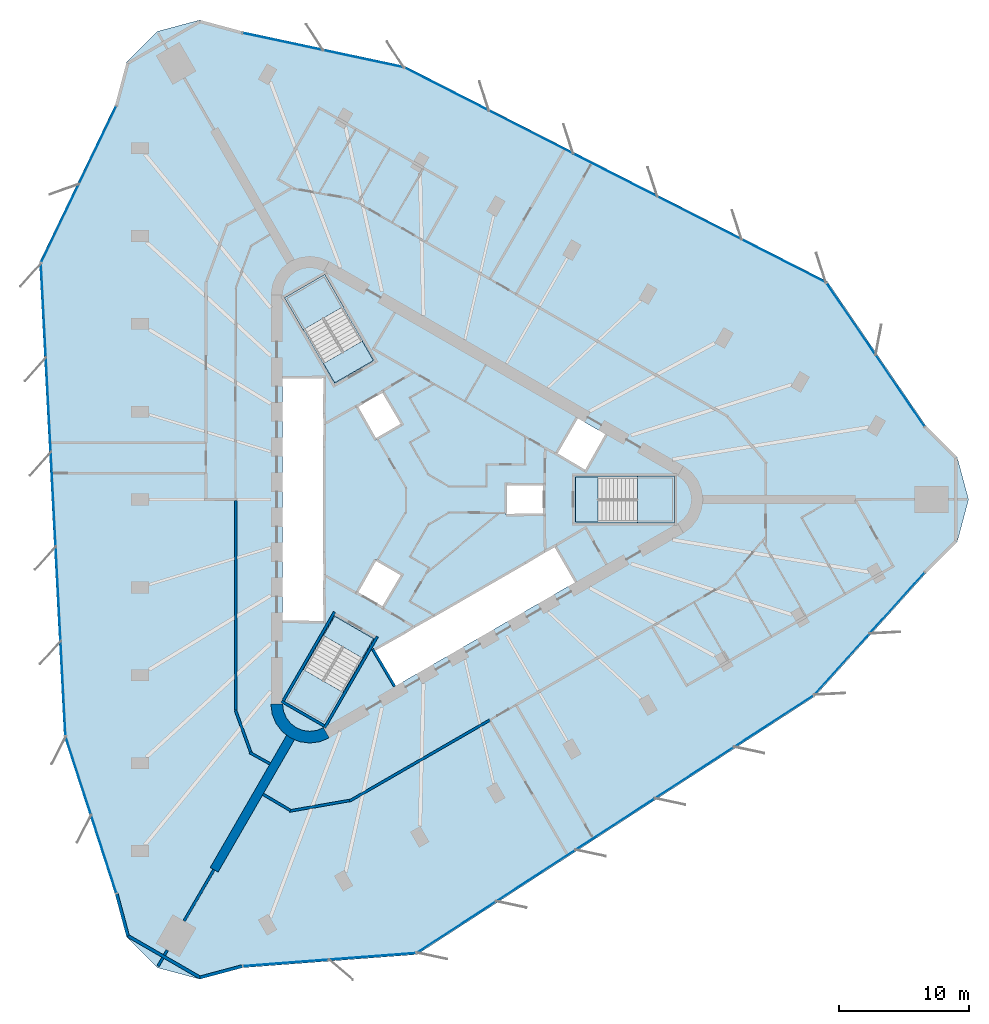
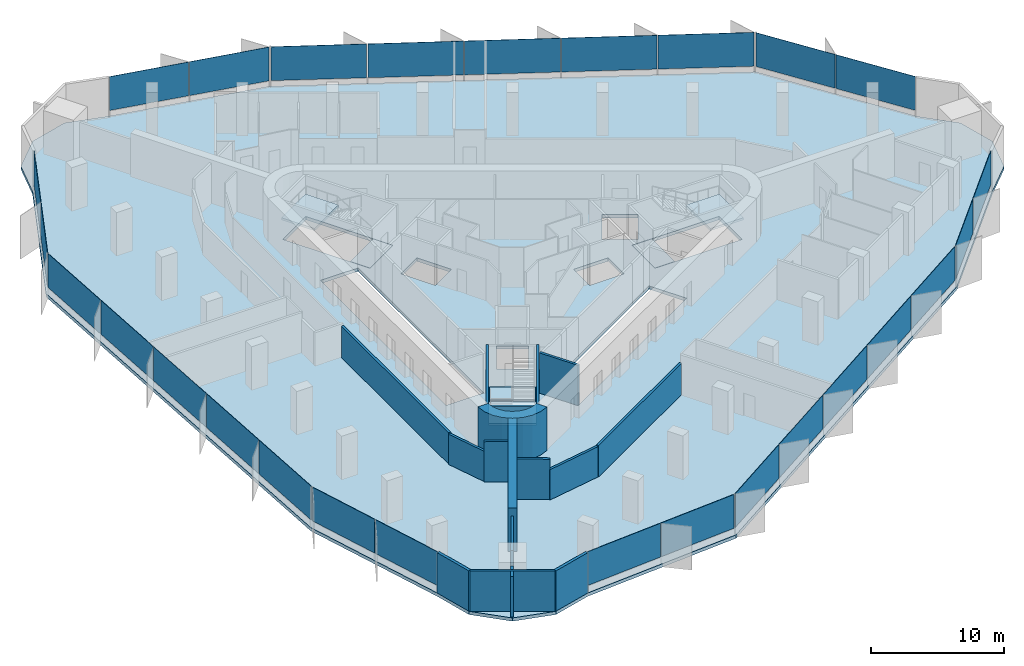
# One storey, part 7 of 14: 27 plates, 18 walls, 7 slabs, 12 elements without a shape of their own.
"""IFC4 building model written with IfcOpenShell, lengths in metres."""

import ifcopenshell
import ifcopenshell.guid

model = None  # the IFC model being written
_history = None  # IfcOwnerHistory: only IFC2X3 demands one
_inside = {}  # id of a spatial element -> (the spatial element, [elements in it])
_under = {}  # id of a project, library or spatial element -> (it, [spatial elements below it])
_declared = {}  # id of a project -> (the project, [libraries it declares])
_typed = {}  # id of a type object -> (the type object, [elements of that type])
_made_of = {}  # id of a material, layer set ... -> (it, [elements and type objects made of it])


def new_model(schema):
    """Start an empty IFC model of exactly this schema.

    Asked for "IFC4X3", IfcOpenShell would pick the latest addendum, in which some entities
    have other attributes; the version numbers below select the first issue.
    IFC2X3 requires an IfcOwnerHistory on every rooted entity: one is made here for all.
    """
    global model, _history
    if schema == "IFC4X3":
        model = ifcopenshell.file(schema_version=(4, 3, 0, 0))
    else:
        model = ifcopenshell.file(schema=schema)
    _inside.clear()
    _under.clear()
    _declared.clear()
    _typed.clear()
    _made_of.clear()
    _history = None
    if model.schema == "IFC2X3":
        org = make("IfcOrganization", Name="unknown")
        user = make(
            "IfcPersonAndOrganization",
            ThePerson=make("IfcPerson", FamilyName="unknown"),
            TheOrganization=org,
        )
        app = make(
            "IfcApplication",
            ApplicationDeveloper=org,
            Version="unknown",
            ApplicationFullName="unknown",
            ApplicationIdentifier="unknown",
        )
        _history = make(
            "IfcOwnerHistory",
            OwningUser=user,
            OwningApplication=app,
            ChangeAction="ADDED",
            CreationDate=0,
        )
    return model


def make(cls, **values):
    """One entity of the class cls with the attributes given. An attribute that is None is left unset."""
    return model.create_entity(
        cls, **{name: value for name, value in values.items() if value is not None}
    )


def rooted(cls, **values):
    """An entity with a GlobalId (a new one), such as an element, a storey or a relation."""
    return make(cls, GlobalId=ifcopenshell.guid.new(), OwnerHistory=_history, **values)


def si_unit(unit_type, name, prefix=None):
    """IfcSIUnit, for example si_unit("LENGTHUNIT", "METRE", prefix="MILLI")."""
    return make("IfcSIUnit", UnitType=unit_type, Prefix=prefix, Name=name)


def assignment(units):
    """IfcUnitAssignment: the units of a project."""
    return None if units is None else make("IfcUnitAssignment", Units=units)


def point(xyz):
    """IfcCartesianPoint."""
    return None if xyz is None else make("IfcCartesianPoint", Coordinates=xyz)


def direction(xyz):
    """IfcDirection."""
    return None if xyz is None else make("IfcDirection", DirectionRatios=xyz)


def frame(location, z_axis=None, x_axis=None):
    """IfcAxis2Placement3D, a coordinate frame: its origin and axes. An axis left out is left unset."""
    return make(
        "IfcAxis2Placement3D",
        Location=point(location),
        Axis=direction(z_axis),
        RefDirection=direction(x_axis),
    )


def frame_2d(location, x_axis=None):
    """IfcAxis2Placement2D, a coordinate frame in the plane: its origin and x axis."""
    return make(
        "IfcAxis2Placement2D", Location=point(location), RefDirection=direction(x_axis)
    )


def origin():
    """The frame at (0, 0, 0) with its axes left unset."""
    return frame((0.0, 0.0, 0.0))


def origin_2d():
    """The frame at (0, 0) in the plane with its x axis left unset."""
    return frame_2d((0.0, 0.0))


def place(relative_to, where):
    """IfcLocalPlacement: puts the frame where relative to a parent placement (None: the world)."""
    return make(
        "IfcLocalPlacement", PlacementRelTo=relative_to, RelativePlacement=where
    )


def context(
    kind, dimensions, precision=None, world=None, true_north=None, identifier=None
):
    """IfcGeometricRepresentationContext, for example the 3D "Model" context."""
    return make(
        "IfcGeometricRepresentationContext",
        ContextIdentifier=identifier,
        ContextType=kind,
        CoordinateSpaceDimension=dimensions,
        Precision=precision,
        WorldCoordinateSystem=world,
        TrueNorth=true_north,
    )


def subcontext(parent, identifier, kind, view, scale=None):
    """IfcGeometricRepresentationSubContext, for example "Body" below "Model"."""
    return make(
        "IfcGeometricRepresentationSubContext",
        ContextIdentifier=identifier,
        ContextType=kind,
        ParentContext=parent,
        TargetScale=scale,
        TargetView=view,
    )


def project(units=None, contexts=None):
    """IfcProject with its units and contexts."""
    return rooted(
        "IfcProject",
        Name="project",
        RepresentationContexts=contexts,
        UnitsInContext=assignment(units),
    )


def spatial(cls, under=None, at=None, **own):
    """A site, building, storey or space (cls), placed at a placement, below another one or the project."""
    s = rooted(cls, ObjectPlacement=at, **own)
    if under is not None:
        _under.setdefault(under.id(), (under, []))[1].append(s)
    return s


def polyline(points):
    """IfcPolyline through the points."""
    return make("IfcPolyline", Points=[point(p) for p in points])


def profile(cls, at=None, kind="AREA", **sizes):
    """A parametric profile (cls). Its sizes go by their IFC names, for example OverallWidth=200.0."""
    return make(cls, ProfileType=kind, Position=at, **sizes)


def rectangle(**sizes):
    """IfcRectangleProfileDef."""
    return profile("IfcRectangleProfileDef", **sizes)


def outline(outer, holes=None, kind="AREA"):
    """IfcArbitraryClosedProfileDef: a profile drawn as a closed curve; with holes, ...WithVoids."""
    if holes is None:
        return make("IfcArbitraryClosedProfileDef", ProfileType=kind, OuterCurve=outer)
    return make(
        "IfcArbitraryProfileDefWithVoids",
        ProfileType=kind,
        OuterCurve=outer,
        InnerCurves=holes,
    )


def extrude(swept, where, along, depth):
    """IfcExtrudedAreaSolid: the profile swept, set in the frame where, extruded along a direction by depth."""
    return make(
        "IfcExtrudedAreaSolid",
        SweptArea=swept,
        Position=where,
        ExtrudedDirection=direction(along),
        Depth=depth,
    )


def shape(context_of_items, identifier, shape_type, items):
    """IfcShapeRepresentation: the items that make up one representation, for example the "Body"."""
    return make(
        "IfcShapeRepresentation",
        ContextOfItems=context_of_items,
        RepresentationIdentifier=identifier,
        RepresentationType=shape_type,
        Items=items,
    )


def material(Name=None, Category=None):
    """IfcMaterial."""
    return make("IfcMaterial", Name=Name, Category=Category)


def layer(
    of_material, thickness, ventilated=None, Name=None, Category=None, Priority=None
):
    """IfcMaterialLayer: one layer of a wall or slab, of a material (None: an air gap)."""
    return make(
        "IfcMaterialLayer",
        Material=of_material,
        LayerThickness=thickness,
        IsVentilated=ventilated,
        Name=Name,
        Category=Category,
        Priority=Priority,
    )


def layer_set(layers, Name=None):
    """IfcMaterialLayerSet."""
    return make("IfcMaterialLayerSet", MaterialLayers=layers, LayerSetName=Name)


def made_of(thing, what):
    """Note that an element or type object is made of a material, layer set ...; save() writes the relation."""
    if what is not None:
        _made_of.setdefault(what.id(), (what, []))[1].append(thing)
    return thing


def type_object(cls, material=None, **own):
    """A type object (cls), such as IfcWallType, which elements share."""
    return made_of(rooted(cls, **own), material)


def element(
    cls,
    number,
    at=None,
    inside=None,
    cuts=None,
    type_object=None,
    material=None,
    context=None,
    identifier="Body",
    shape_type=None,
    held_by="IfcProductDefinitionShape",
    body=None,
    shapes=None,
    **own,
):
    """One element of the class cls, such as IfcWall. Its Tag is "e" and its number.

    at: its placement. inside: the storey or other place that contains it. cuts: it is an
    opening in that element (IfcRelVoidsElement). A single representation is given by context,
    identifier, shape_type and body (its items); several are given by shapes. held_by: the class
    of the entity that holds the representations. save() writes the other relations.
    """
    e = rooted(cls, Tag="e%d" % number, ObjectPlacement=at, **own)
    if body is not None:
        shapes = [shape(context, identifier, shape_type, body)]
    if shapes is not None:
        e.Representation = make(held_by, Representations=shapes)
    if inside is not None:
        _inside.setdefault(inside.id(), (inside, []))[1].append(e)
    if cuts is not None:
        rooted(
            "IfcRelVoidsElement", RelatingBuildingElement=cuts, RelatedOpeningElement=e
        )
    if type_object is not None:
        _typed.setdefault(type_object.id(), (type_object, []))[1].append(e)
    return made_of(e, material)


def aggregate(whole, parts):
    """IfcRelAggregates: a whole, such as a stair, and the parts it consists of."""
    return rooted("IfcRelAggregates", RelatingObject=whole, RelatedObjects=parts)


def save(model, path):
    """Write the relations noted so far, then the file.

    IfcRelAggregates (storeys below a building ...), IfcRelContainedInSpatialStructure (elements
    in a storey), IfcRelDefinesByType, IfcRelAssociatesMaterial and IfcRelDeclares: one each for
    every whole, place, type object, material and project.
    """
    for whole, parts in _under.values():
        aggregate(whole, parts)
    for where, things in _inside.values():
        rooted(
            "IfcRelContainedInSpatialStructure",
            RelatedElements=things,
            RelatingStructure=where,
        )
    for kind, things in _typed.values():
        rooted("IfcRelDefinesByType", RelatedObjects=things, RelatingType=kind)
    for what, things in _made_of.values():
        rooted("IfcRelAssociatesMaterial", RelatedObjects=things, RelatingMaterial=what)
    for by, libraries in _declared.values():
        rooted("IfcRelDeclares", RelatingContext=by, RelatedDefinitions=libraries)
    model.write(path)


model = new_model("IFC4")

# Units and contexts
model_context = context("Model", 3, precision=1e-05, world=origin(), true_north=direction((0.0, 1.0)))
body_context = subcontext(model_context, "Body", "Model", "MODEL_VIEW")
ifc_project = project(units=[si_unit("LENGTHUNIT", "METRE"), si_unit("AREAUNIT", "SQUARE_METRE"), si_unit("VOLUMEUNIT", "CUBIC_METRE"), si_unit("PLANEANGLEUNIT", "RADIAN"), si_unit("MASSUNIT", "GRAM", prefix="KILO")], contexts=[model_context])

# Site, building, storey
site_placement = place(None, origin())
site = spatial("IfcSite", under=ifc_project, at=site_placement, CompositionType="ELEMENT")
building_placement = place(site_placement, origin())
building = spatial("IfcBuilding", under=site, at=building_placement, Name="Tanit Gate Tower", CompositionType="ELEMENT")
storey_placement = place(building_placement, frame((0.0, 0.0, 209.199951171875)))
storey = spatial("IfcBuildingStorey", under=building, at=storey_placement, Name="L46", CompositionType="ELEMENT", Elevation=209.199951171875)

# Slab
ifc_material_1 = material(Name="Concrete C35/45", Category="concrete")
ifc_layer_1 = layer(ifc_material_1, 0.300048828125)
ifc_layer_set_1 = layer_set([ifc_layer_1], Name="FLOOR SLAB 300 C35/45")
slab_type_1 = type_object("IfcSlabType", Name="FLOOR SLAB 300 C35/45", PredefinedType="FLOOR", material=ifc_layer_set_1)
slab_1_placement = place(storey_placement, frame((0.0, 0.0, -0.300048828125)))
element("IfcSlab", 1, at=slab_1_placement, inside=storey, type_object=slab_type_1, Name="FLOOR SLAB L46", PredefinedType="FLOOR", context=body_context, shape_type="SweptSolid", body=[
    extrude(outline(polyline([(38.39453125, 5.65771484375), (40.785888671875, 3.266357421875), (41.660888671875, 0.0), (40.785888671875, -3.266357421875), (38.39453125, -5.65771484375), (29.828857421875, -15.15869140625), (-0.8359375, -35.058349609375), (-14.297607421875, -36.07958984375), (-17.564208984375, -36.95458984375), (-20.83056640625, -36.07958984375), (-23.2216796875, -33.688232421875), (-24.096923828125, -30.421875), (-28.04248046875, -18.253173828125), (-29.943359375, 18.253173828125), (-24.096923828125, 30.421875), (-23.2216796875, 33.688232421875), (-20.83056640625, 36.07958984375), (-17.564208984375, 36.95458984375), (-14.297607421875, 36.07958984375), (-1.78662109375, 33.411865234375), (30.779296875, 16.80517578125), (38.39453125, 5.65771484375)]), holes=[polyline([(11.3701171875, 1.72998046875), (18.929931640625, 1.72998046875), (18.929931640625, -1.72998046875), (11.3701171875, -1.72998046875), (11.3701171875, 1.72998046875)]), polyline([(9.82080078125, 3.510009765625), (11.44580078125, 6.324462890625), (13.783935546875, 4.974609375), (12.158935546875, 2.159912109375), (9.82080078125, 3.510009765625)]), polyline([(-4.208984375, -11.60986328125), (9.82080078125, -3.510009765625), (11.44580078125, -6.324462890625), (-2.583984375, -14.424560546875), (-4.208984375, -11.60986328125)]), polyline([(6.0, 1.199951171875), (9.0, 1.199951171875), (9.0, -1.199951171875), (6.0, -1.199951171875), (6.0, 1.199951171875)]), polyline([(-5.539306640625, 7.194091796875), (-3.460693359375, 8.394287109375), (-1.960693359375, 5.796142578125), (-4.039306640625, 4.59619140625), (-5.539306640625, 7.194091796875)]), polyline([(-1.960693359375, -5.796142578125), (-3.460693359375, -8.394287109375), (-5.539306640625, -7.194091796875), (-4.039306640625, -4.59619140625), (-1.960693359375, -5.796142578125)]), polyline([(-10.963134765625, 15.52880859375), (-7.966796875, 17.2587890625), (-4.186767578125, 10.711669921875), (-7.18310546875, 8.981689453125), (-10.963134765625, 15.52880859375)]), polyline([(-4.186767578125, -10.711669921875), (-7.966796875, -17.2587890625), (-10.963134765625, -15.52880859375), (-7.18310546875, -8.981689453125), (-4.186767578125, -10.711669921875)]), polyline([(-11.199951171875, -9.449951171875), (-11.199951171875, 9.449951171875), (-7.949951171875, 9.449951171875), (-7.949951171875, -9.449951171875), (-11.199951171875, -9.449951171875)])]), origin(), (0.0, 0.0, 1.0), 0.300048828125),
])

# Curtain wall, plates
ifc_material_2 = material(Name="Aluminium bronze anodised and glass", Category="aluminium")
curtain_wall_type = type_object("IfcCurtainWallType", Name="Curtain wall typical mid", PredefinedType="NOTDEFINED", material=ifc_material_2)
curtain_wall_1_placement = place(storey_placement, origin())
curtain_wall_1 = element("IfcCurtainWall", 2, at=curtain_wall_1_placement, inside=storey, type_object=curtain_wall_type, Name="Curtain wall L46 NE1", PredefinedType="NOTDEFINED")
ifc_material_3 = material(Name="Glass tinted", Category="glass")
ifc_layer_2 = layer(ifc_material_3, 0.030029296875)
ifc_layer_set_2 = layer_set([ifc_layer_2], Name="Glass panel 30 typical mid")
plate_type = type_object("IfcPlateType", Name="Glass panel 30 typical mid", PredefinedType="CURTAIN_PANEL", material=ifc_layer_set_2)
plate_1_placement = place(storey_placement, frame((36.389404296875, 8.380126953125, 0.60009765625), z_axis=(0.0, 0.0, 1.0), x_axis=(-0.564077771762, 0.825721664608, 0.0)))
plate_1 = element("IfcPlate", 3, at=plate_1_placement, type_object=plate_type, Name="Glass panel L46 NE1.1", PredefinedType="CURTAIN_PANEL", context=body_context, shape_type="SweptSolid", body=[
    extrude(rectangle(XDim=6.620361328125, YDim=0.030029296875, at=origin_2d()), origin(), (0.0, 0.0, 1.0), 3.10009765625),
])
plate_2_placement = place(storey_placement, frame((32.60986328125, 13.912841796875, 0.60009765625), z_axis=(0.0, 0.0, 1.0), x_axis=(-0.564077771762, 0.825721664608, 0.0)))
plate_2 = element("IfcPlate", 4, at=plate_2_placement, type_object=plate_type, Name="Glass panel L46 NE1.2", PredefinedType="CURTAIN_PANEL", context=body_context, shape_type="SweptSolid", body=[
    extrude(rectangle(XDim=6.62060546875, YDim=0.030029296875, at=origin_2d()), origin(), (0.0, 0.0, 1.0), 3.10009765625),
])
aggregate(curtain_wall_1, [plate_1, plate_2])

curtain_wall_2_placement = place(storey_placement, origin())
curtain_wall_2 = element("IfcCurtainWall", 5, at=curtain_wall_2_placement, inside=storey, type_object=curtain_wall_type, Name="Curtain wall L46 NE2", PredefinedType="NOTDEFINED")
plate_3_placement = place(storey_placement, frame((27.41650390625, 18.38525390625, 0.60009765625), z_axis=(0.0, 0.0, 1.0), x_axis=(-0.890855088516, 0.454287586518, 0.0)))
plate_3 = element("IfcPlate", 6, at=plate_3_placement, type_object=plate_type, Name="Glass panel L46 NE2.1", PredefinedType="CURTAIN_PANEL", context=body_context, shape_type="SweptSolid", body=[
    extrude(rectangle(XDim=7.205810546875, YDim=0.030029296875, at=origin_2d()), origin(), (0.0, 0.0, 1.0), 3.10009765625),
])
plate_4_placement = place(storey_placement, frame((20.926025390625, 21.695068359375, 0.60009765625), z_axis=(0.0, 0.0, 1.0), x_axis=(-0.890855088516, 0.454287586518, 0.0)))
plate_4 = element("IfcPlate", 7, at=plate_4_placement, type_object=plate_type, Name="Glass panel L46 NE2.2", PredefinedType="CURTAIN_PANEL", context=body_context, shape_type="SweptSolid", body=[
    extrude(rectangle(XDim=7.205810546875, YDim=0.030029296875, at=origin_2d()), origin(), (0.0, 0.0, 1.0), 3.10009765625),
])
plate_5_placement = place(storey_placement, frame((14.435302734375, 25.005126953125, 0.60009765625), z_axis=(0.0, 0.0, 1.0), x_axis=(-0.890855088516, 0.454287586518, 0.0)))
plate_5 = element("IfcPlate", 8, at=plate_5_placement, type_object=plate_type, Name="Glass panel L46 NE2.3", PredefinedType="CURTAIN_PANEL", context=body_context, shape_type="SweptSolid", body=[
    extrude(rectangle(XDim=7.205810546875, YDim=0.030029296875, at=origin_2d()), origin(), (0.0, 0.0, 1.0), 3.10009765625),
])
plate_6_placement = place(storey_placement, frame((7.944580078125, 28.31494140625, 0.60009765625), z_axis=(0.0, 0.0, 1.0), x_axis=(-0.890855088516, 0.454287586518, 0.0)))
plate_6 = element("IfcPlate", 9, at=plate_6_placement, type_object=plate_type, Name="Glass panel L46 NE2.4", PredefinedType="CURTAIN_PANEL", context=body_context, shape_type="SweptSolid", body=[
    extrude(rectangle(XDim=7.205810546875, YDim=0.030029296875, at=origin_2d()), origin(), (0.0, 0.0, 1.0), 3.10009765625),
])
plate_7_placement = place(storey_placement, frame((1.4541015625, 31.624755859375, 0.60009765625), z_axis=(0.0, 0.0, 1.0), x_axis=(-0.890855088516, 0.454287586518, 0.0)))
plate_7 = element("IfcPlate", 10, at=plate_7_placement, type_object=plate_type, Name="Glass panel L46 NE2.5", PredefinedType="CURTAIN_PANEL", context=body_context, shape_type="SweptSolid", body=[
    extrude(rectangle(XDim=7.205810546875, YDim=0.030029296875, at=origin_2d()), origin(), (0.0, 0.0, 1.0), 3.10009765625),
])
aggregate(curtain_wall_2, [plate_3, plate_4, plate_5, plate_6, plate_7])

curtain_wall_3_placement = place(storey_placement, origin())
curtain_wall_3 = element("IfcCurtainWall", 11, at=curtain_wall_3_placement, inside=storey, type_object=curtain_wall_type, Name="Curtain wall L46 NE3", PredefinedType="NOTDEFINED")
plate_8_placement = place(storey_placement, frame((-4.97119140625, 33.96826171875, 0.60009765625), z_axis=(0.0, 0.0, 1.0), x_axis=(-0.978016696692, 0.208526595404, 0.0)))
plate_8 = element("IfcPlate", 12, at=plate_8_placement, type_object=plate_type, Name="Glass panel L46 NE3.1", PredefinedType="CURTAIN_PANEL", context=body_context, shape_type="SweptSolid", body=[
    extrude(rectangle(XDim=6.269775390625, YDim=0.030029296875, at=origin_2d()), origin(), (0.0, 0.0, 1.0), 3.10009765625),
])
plate_9_placement = place(storey_placement, frame((-11.181396484375, 35.29248046875, 0.60009765625), z_axis=(0.0, 0.0, 1.0), x_axis=(-0.978016696692, 0.208526595404, 0.0)))
plate_9 = element("IfcPlate", 13, at=plate_9_placement, type_object=plate_type, Name="Glass panel L46 NE3.2", PredefinedType="CURTAIN_PANEL", context=body_context, shape_type="SweptSolid", body=[
    extrude(rectangle(XDim=6.27001953125, YDim=0.030029296875, at=origin_2d()), origin(), (0.0, 0.0, 1.0), 3.10009765625),
])
aggregate(curtain_wall_3, [plate_8, plate_9])

curtain_wall_4_placement = place(storey_placement, origin())
curtain_wall_4 = element("IfcCurtainWall", 14, at=curtain_wall_4_placement, inside=storey, type_object=curtain_wall_type, Name="Curtain wall L46 W1", PredefinedType="NOTDEFINED")
plate_10_placement = place(storey_placement, frame((-25.4521484375, 27.32421875, 0.60009765625), z_axis=(0.0, 0.0, 1.0), x_axis=(-0.433057052125, -0.90136651236, 0.0)))
plate_10 = element("IfcPlate", 15, at=plate_10_placement, type_object=plate_type, Name="Glass panel L46 W1.1", PredefinedType="CURTAIN_PANEL", context=body_context, shape_type="SweptSolid", body=[
    extrude(rectangle(XDim=6.620361328125, YDim=0.030029296875, at=origin_2d()), origin(), (0.0, 0.0, 1.0), 3.10009765625),
])
plate_11_placement = place(storey_placement, frame((-28.353759765625, 21.28466796875, 0.60009765625), z_axis=(0.0, 0.0, 1.0), x_axis=(-0.433057052125, -0.90136651236, 0.0)))
plate_11 = element("IfcPlate", 16, at=plate_11_placement, type_object=plate_type, Name="Glass panel L46 W1.2", PredefinedType="CURTAIN_PANEL", context=body_context, shape_type="SweptSolid", body=[
    extrude(rectangle(XDim=6.62060546875, YDim=0.030029296875, at=origin_2d()), origin(), (0.0, 0.0, 1.0), 3.10009765625),
])
aggregate(curtain_wall_4, [plate_10, plate_11])

curtain_wall_5_placement = place(storey_placement, origin())
curtain_wall_5 = element("IfcCurtainWall", 17, at=curtain_wall_5_placement, inside=storey, type_object=curtain_wall_type, Name="Curtain wall L46 W2", PredefinedType="NOTDEFINED")
plate_12_placement = place(storey_placement, frame((-29.63037109375, 14.55078125, 0.60009765625), z_axis=(0.0, 0.0, 1.0), x_axis=(0.05200295371, -0.998646931005, 0.0)))
plate_12 = element("IfcPlate", 18, at=plate_12_placement, type_object=plate_type, Name="Glass panel L46 W2.1", PredefinedType="CURTAIN_PANEL", context=body_context, shape_type="SweptSolid", body=[
    extrude(rectangle(XDim=7.205810546875, YDim=0.030029296875, at=origin_2d()), origin(), (0.0, 0.0, 1.0), 3.10009765625),
])
plate_13_placement = place(storey_placement, frame((-29.25146484375, 7.27490234375, 0.60009765625), z_axis=(0.0, 0.0, 1.0), x_axis=(0.05200295371, -0.998646931005, 0.0)))
plate_13 = element("IfcPlate", 19, at=plate_13_placement, type_object=plate_type, Name="Glass panel L46 W2.2", PredefinedType="CURTAIN_PANEL", context=body_context, shape_type="SweptSolid", body=[
    extrude(rectangle(XDim=7.205810546875, YDim=0.030029296875, at=origin_2d()), origin(), (0.0, 0.0, 1.0), 3.10009765625),
])
plate_14_placement = place(storey_placement, frame((-28.87255859375, -0.001220703125, 0.60009765625), z_axis=(0.0, 0.0, 1.0), x_axis=(0.05200295371, -0.998646931005, 0.0)))
plate_14 = element("IfcPlate", 20, at=plate_14_placement, type_object=plate_type, Name="Glass panel L46 W2.3", PredefinedType="CURTAIN_PANEL", context=body_context, shape_type="SweptSolid", body=[
    extrude(rectangle(XDim=7.205810546875, YDim=0.030029296875, at=origin_2d()), origin(), (0.0, 0.0, 1.0), 3.10009765625),
])
plate_15_placement = place(storey_placement, frame((-28.49365234375, -7.277099609375, 0.60009765625), z_axis=(0.0, 0.0, 1.0), x_axis=(0.05200295371, -0.998646931005, 0.0)))
plate_15 = element("IfcPlate", 21, at=plate_15_placement, type_object=plate_type, Name="Glass panel L46 W2.4", PredefinedType="CURTAIN_PANEL", context=body_context, shape_type="SweptSolid", body=[
    extrude(rectangle(XDim=7.205810546875, YDim=0.030029296875, at=origin_2d()), origin(), (0.0, 0.0, 1.0), 3.10009765625),
])
plate_16_placement = place(storey_placement, frame((-28.11474609375, -14.55322265625, 0.60009765625), z_axis=(0.0, 0.0, 1.0), x_axis=(0.05200295371, -0.998646931005, 0.0)))
plate_16 = element("IfcPlate", 22, at=plate_16_placement, type_object=plate_type, Name="Glass panel L46 W2.5", PredefinedType="CURTAIN_PANEL", context=body_context, shape_type="SweptSolid", body=[
    extrude(rectangle(XDim=7.205810546875, YDim=0.030029296875, at=origin_2d()), origin(), (0.0, 0.0, 1.0), 3.10009765625),
])
aggregate(curtain_wall_5, [plate_12, plate_13, plate_14, plate_15, plate_16])

curtain_wall_6_placement = place(storey_placement, origin())
curtain_wall_6 = element("IfcCurtainWall", 23, at=curtain_wall_6_placement, inside=storey, type_object=curtain_wall_type, Name="Curtain wall L46 W3", PredefinedType="NOTDEFINED")
plate_17_placement = place(storey_placement, frame((-26.931884765625, -21.289306640625, 0.60009765625), z_axis=(0.0, 0.0, 1.0), x_axis=(0.308419019362, -0.951250602363, 0.0)))
plate_17 = element("IfcPlate", 24, at=plate_17_placement, type_object=plate_type, Name="Glass panel L46 W3.1", PredefinedType="CURTAIN_PANEL", context=body_context, shape_type="SweptSolid", body=[
    extrude(rectangle(XDim=6.269775390625, YDim=0.030029296875, at=origin_2d()), origin(), (0.0, 0.0, 1.0), 3.10009765625),
])
plate_18_placement = place(storey_placement, frame((-24.973388671875, -27.32958984375, 0.60009765625), z_axis=(0.0, 0.0, 1.0), x_axis=(0.308419019362, -0.951250602363, 0.0)))
plate_18 = element("IfcPlate", 25, at=plate_18_placement, type_object=plate_type, Name="Glass panel L46 W3.2", PredefinedType="CURTAIN_PANEL", context=body_context, shape_type="SweptSolid", body=[
    extrude(rectangle(XDim=6.27001953125, YDim=0.030029296875, at=origin_2d()), origin(), (0.0, 0.0, 1.0), 3.10009765625),
])
aggregate(curtain_wall_6, [plate_17, plate_18])

curtain_wall_7_placement = place(storey_placement, origin())
curtain_wall_7 = element("IfcCurtainWall", 26, at=curtain_wall_7_placement, inside=storey, type_object=curtain_wall_type, Name="Curtain wall L46 SE1", PredefinedType="NOTDEFINED")
plate_19_placement = place(storey_placement, frame((-10.937255859375, -35.704345703125, 0.60009765625), z_axis=(0.0, 0.0, 1.0), x_axis=(0.997134823887, 0.075644847752, 0.0)))
plate_19 = element("IfcPlate", 27, at=plate_19_placement, type_object=plate_type, Name="Glass panel L46 SE1.1", PredefinedType="CURTAIN_PANEL", context=body_context, shape_type="SweptSolid", body=[
    extrude(rectangle(XDim=6.620361328125, YDim=0.030029296875, at=origin_2d()), origin(), (0.0, 0.0, 1.0), 3.10009765625),
])
plate_20_placement = place(storey_placement, frame((-4.256103515625, -35.197265625, 0.60009765625), z_axis=(0.0, 0.0, 1.0), x_axis=(0.997134823887, 0.075644847752, 0.0)))
plate_20 = element("IfcPlate", 28, at=plate_20_placement, type_object=plate_type, Name="Glass panel L46 SE1.2", PredefinedType="CURTAIN_PANEL", context=body_context, shape_type="SweptSolid", body=[
    extrude(rectangle(XDim=6.62060546875, YDim=0.030029296875, at=origin_2d()), origin(), (0.0, 0.0, 1.0), 3.10009765625),
])
aggregate(curtain_wall_7, [plate_19, plate_20])

curtain_wall_8_placement = place(storey_placement, origin())
curtain_wall_8 = element("IfcCurtainWall", 29, at=curtain_wall_8_placement, inside=storey, type_object=curtain_wall_type, Name="Curtain wall L46 SE2", PredefinedType="NOTDEFINED")
plate_21_placement = place(storey_placement, frame((2.2138671875, -32.93603515625, 0.60009765625), z_axis=(0.0, 0.0, 1.0), x_axis=(0.838852134807, 0.544359344487, 0.0)))
plate_21 = element("IfcPlate", 30, at=plate_21_placement, type_object=plate_type, Name="Glass panel L46 SE2.1", PredefinedType="CURTAIN_PANEL", context=body_context, shape_type="SweptSolid", body=[
    extrude(rectangle(XDim=7.205810546875, YDim=0.030029296875, at=origin_2d()), origin(), (0.0, 0.0, 1.0), 3.10009765625),
])
plate_22_placement = place(storey_placement, frame((8.32568359375, -28.969970703125, 0.60009765625), z_axis=(0.0, 0.0, 1.0), x_axis=(0.838852134807, 0.544359344487, 0.0)))
plate_22 = element("IfcPlate", 31, at=plate_22_placement, type_object=plate_type, Name="Glass panel L46 SE2.2", PredefinedType="CURTAIN_PANEL", context=body_context, shape_type="SweptSolid", body=[
    extrude(rectangle(XDim=7.205810546875, YDim=0.030029296875, at=origin_2d()), origin(), (0.0, 0.0, 1.0), 3.10009765625),
])
plate_23_placement = place(storey_placement, frame((14.437255859375, -25.00390625, 0.60009765625), z_axis=(0.0, 0.0, 1.0), x_axis=(0.838852134807, 0.544359344487, 0.0)))
plate_23 = element("IfcPlate", 32, at=plate_23_placement, type_object=plate_type, Name="Glass panel L46 SE2.3", PredefinedType="CURTAIN_PANEL", context=body_context, shape_type="SweptSolid", body=[
    extrude(rectangle(XDim=7.205810546875, YDim=0.030029296875, at=origin_2d()), origin(), (0.0, 0.0, 1.0), 3.10009765625),
])
plate_24_placement = place(storey_placement, frame((20.549072265625, -21.03759765625, 0.60009765625), z_axis=(0.0, 0.0, 1.0), x_axis=(0.838852134807, 0.544359344487, 0.0)))
plate_24 = element("IfcPlate", 33, at=plate_24_placement, type_object=plate_type, Name="Glass panel L46 SE2.4", PredefinedType="CURTAIN_PANEL", context=body_context, shape_type="SweptSolid", body=[
    extrude(rectangle(XDim=7.205810546875, YDim=0.030029296875, at=origin_2d()), origin(), (0.0, 0.0, 1.0), 3.10009765625),
])
plate_25_placement = place(storey_placement, frame((26.660888671875, -17.071533203125, 0.60009765625), z_axis=(0.0, 0.0, 1.0), x_axis=(0.838852134807, 0.544359344487, 0.0)))
plate_25 = element("IfcPlate", 34, at=plate_25_placement, type_object=plate_type, Name="Glass panel L46 SE2.5", PredefinedType="CURTAIN_PANEL", context=body_context, shape_type="SweptSolid", body=[
    extrude(rectangle(XDim=7.205810546875, YDim=0.030029296875, at=origin_2d()), origin(), (0.0, 0.0, 1.0), 3.10009765625),
])
aggregate(curtain_wall_8, [plate_21, plate_22, plate_23, plate_24, plate_25])

curtain_wall_9_placement = place(storey_placement, origin())
curtain_wall_9 = element("IfcCurtainWall", 35, at=curtain_wall_9_placement, inside=storey, type_object=curtain_wall_type, Name="Curtain wall L46 SE3", PredefinedType="NOTDEFINED")
plate_26_placement = place(storey_placement, frame((31.903076171875, -12.678955078125, 0.60009765625), z_axis=(0.0, 0.0, 1.0), x_axis=(0.669597677331, 0.742724006959, 0.0)))
plate_26 = element("IfcPlate", 36, at=plate_26_placement, type_object=plate_type, Name="Glass panel L46 SE3.1", PredefinedType="CURTAIN_PANEL", context=body_context, shape_type="SweptSolid", body=[
    extrude(rectangle(XDim=6.269775390625, YDim=0.030029296875, at=origin_2d()), origin(), (0.0, 0.0, 1.0), 3.10009765625),
])
plate_27_placement = place(storey_placement, frame((36.15478515625, -7.962890625, 0.60009765625), z_axis=(0.0, 0.0, 1.0), x_axis=(0.669597677331, 0.742724006959, 0.0)))
plate_27 = element("IfcPlate", 37, at=plate_27_placement, type_object=plate_type, Name="Glass panel L46 SE3.2", PredefinedType="CURTAIN_PANEL", context=body_context, shape_type="SweptSolid", body=[
    extrude(rectangle(XDim=6.27001953125, YDim=0.030029296875, at=origin_2d()), origin(), (0.0, 0.0, 1.0), 3.10009765625),
])
aggregate(curtain_wall_9, [plate_26, plate_27])

# Stair, slab
ifc_material_4 = material(Name="Concrete C40/50", Category="concrete")
stair_type = type_object("IfcStairType", Name="INT-STAIR-EXIT", PredefinedType="HALF_TURN_STAIR", material=ifc_material_4)
stair_1_placement = place(storey_placement, origin())
stair_1 = element("IfcStair", 38, at=stair_1_placement, inside=storey, type_object=stair_type, Name="L46 STAIR S1", PredefinedType="HALF_TURN_STAIR")
ifc_material_5 = material(Name="Concrete C40/50", Category="concrete")
ifc_layer_3 = layer(ifc_material_5, 0.199951171875)
ifc_layer_set_3 = layer_set([ifc_layer_3], Name="INT-STAIR-LANDING")
slab_type_2 = type_object("IfcSlabType", Name="INT-STAIR-LANDING", PredefinedType="LANDING", material=ifc_layer_set_3)
slab_2_placement = place(storey_placement, frame((0.0, 0.0, 1.800048828125)))
slab_2 = element("IfcSlab", 39, at=slab_2_placement, type_object=slab_type_2, Name="S1 landing 1", PredefinedType="LANDING", context=body_context, shape_type="SweptSolid", body=[
    extrude(outline(polyline([(16.135986328125, -1.800048828125), (19.0, -1.800048828125), (19.0, 1.800048828125), (16.135986328125, 1.800048828125), (16.135986328125, -1.800048828125)])), origin(), (0.0, 0.0, 1.0), 0.199951171875),
])
aggregate(stair_1, [slab_2])

# Slab
slab_3_placement = place(storey_placement, frame((0.0, 0.0, -0.199951171875)))
element("IfcSlab", 40, at=slab_3_placement, inside=storey, type_object=slab_type_2, Name="S1 floor landing", PredefinedType="LANDING", context=body_context, shape_type="SweptSolid", body=[
    extrude(outline(polyline([(11.3798828125, -1.719970703125), (13.10498046875, -1.719970703125), (13.10498046875, 1.719970703125), (11.3798828125, 1.719970703125), (11.3798828125, -1.719970703125)])), origin(), (0.0, 0.0, 1.0), 0.199951171875),
])

# Stair, slab
stair_2_placement = place(storey_placement, origin())
stair_2 = element("IfcStair", 41, at=stair_2_placement, inside=storey, type_object=stair_type, Name="L46 STAIR S2", PredefinedType="HALF_TURN_STAIR")
slab_4_placement = place(storey_placement, frame((0.0, 0.0, 1.800048828125)))
slab_4 = element("IfcSlab", 42, at=slab_4_placement, type_object=slab_type_2, Name="S2 landing 1", PredefinedType="LANDING", context=body_context, shape_type="SweptSolid", body=[
    extrude(outline(polyline([(-6.5078125, 14.871826171875), (-7.941162109375, 17.3544921875), (-11.058837890625, 15.554443359375), (-9.62548828125, 13.07177734375), (-6.5078125, 14.871826171875)])), origin(), (0.0, 0.0, 1.0), 0.199951171875),
])
aggregate(stair_2, [slab_4])

# Slab
slab_5_placement = place(storey_placement, frame((0.0, 0.0, -0.199951171875)))
element("IfcSlab", 43, at=slab_5_placement, inside=storey, type_object=slab_type_2, Name="S2 floor landing", PredefinedType="LANDING", context=body_context, shape_type="SweptSolid", body=[
    extrude(outline(polyline([(-4.200439453125, 10.71533203125), (-5.0625, 12.20849609375), (-8.04150390625, 10.48828125), (-7.179443359375, 8.995361328125), (-4.200439453125, 10.71533203125)])), origin(), (0.0, 0.0, 1.0), 0.199951171875),
])

# Stair, slab
stair_3_placement = place(storey_placement, origin())
stair_3 = element("IfcStair", 44, at=stair_3_placement, inside=storey, type_object=stair_type, Name="L46 STAIR S3", PredefinedType="HALF_TURN_STAIR")
slab_6_placement = place(storey_placement, frame((0.0, 0.0, 1.800048828125)))
slab_6 = element("IfcSlab", 45, at=slab_6_placement, type_object=slab_type_2, Name="S3 landing 1", PredefinedType="LANDING", context=body_context, shape_type="SweptSolid", body=[
    extrude(outline(polyline([(-9.626953125, -13.07421875), (-11.058837890625, -15.554443359375), (-7.941162109375, -17.3544921875), (-6.509033203125, -14.874267578125), (-9.626953125, -13.07421875)])), origin(), (0.0, 0.0, 1.0), 0.199951171875),
])
aggregate(stair_3, [slab_6])

# Slab
slab_7_placement = place(storey_placement, frame((0.0, 0.0, -0.199951171875)))
element("IfcSlab", 46, at=slab_7_placement, inside=storey, type_object=slab_type_2, Name="S3 floor landing", PredefinedType="LANDING", context=body_context, shape_type="SweptSolid", body=[
    extrude(outline(polyline([(-7.179443359375, -8.995361328125), (-8.0419921875, -10.4892578125), (-5.06298828125, -12.209228515625), (-4.200439453125, -10.71533203125), (-7.179443359375, -8.995361328125)])), origin(), (0.0, 0.0, 1.0), 0.199951171875),
])

# Walls
ifc_material_6 = material(Name="Concrete C50/60", Category="concrete")
ifc_layer_4 = layer(ifc_material_6, 0.699951171875)
ifc_layer_set_4 = layer_set([ifc_layer_4], Name="BUTTRESS FIN 700 C50/60")
wall_type_1 = type_object("IfcWallType", Name="BUTTRESS FIN 700 C50/60", PredefinedType="SHEAR", material=ifc_layer_set_4)
wall_1_placement = place(storey_placement, frame((-10.574951171875, -18.31640625, 0.0), z_axis=(0.0, 0.0, 1.0), x_axis=(-0.499999598486, -0.866025635599, 0.0)))
element("IfcWall", 47, at=wall_1_placement, inside=storey, type_object=wall_type_1, Name="BUTTRESS FIN", PredefinedType="SHEAR", context=body_context, shape_type="SweptSolid", body=[
    extrude(rectangle(XDim=11.7939453125, YDim=0.699951171875, at=frame_2d((5.89697265625, 0.0))), origin(), (0.0, 0.0, 1.0), 4.0),
])
ifc_material_7 = material(Name="Concrete C50/60", Category="concrete")
ifc_layer_5 = layer(ifc_material_7, 0.89990234375)
ifc_layer_set_5 = layer_set([ifc_layer_5], Name="CORE WALL 900 C50/60")
wall_type_2 = type_object("IfcWallType", Name="CORE WALL 900 C50/60", PredefinedType="SHEAR", material=ifc_layer_set_5)
wall_2_placement = place(storey_placement, origin())
element("IfcWall", 48, at=wall_2_placement, inside=storey, type_object=wall_type_2, Name="CORE WALL CORNER", PredefinedType="SHEAR", context=body_context, shape_type="SweptSolid", body=[
    extrude(outline(polyline([(-12.10009765625, -15.76171875), (-11.997802734375, -16.5380859375), (-11.697998046875, -17.26171875), (-11.22119140625, -17.883056640625), (-10.60009765625, -18.359619140625), (-9.87646484375, -18.659423828125), (-9.10009765625, -18.76171875), (-8.323486328125, -18.659423828125), (-7.60009765625, -18.359619140625), (-8.050048828125, -17.580322265625), (-8.556396484375, -17.7900390625), (-9.10009765625, -17.86181640625), (-9.6435546875, -17.7900390625), (-10.14990234375, -17.580322265625), (-10.5849609375, -17.24658203125), (-10.918701171875, -16.811767578125), (-11.12841796875, -16.30517578125), (-11.199951171875, -15.76171875), (-12.10009765625, -15.76171875)])), origin(), (0.0, 0.0, 1.0), 4.0),
])
ifc_material_8 = material(Name="Concrete C30/37 with bronze anodised aluminium cladding", Category="concrete")
ifc_layer_6 = layer(ifc_material_8, 0.239990234375)
ifc_layer_set_6 = layer_set([ifc_layer_6], Name="Facade wall bronze clad 240")
wall_type_3 = type_object("IfcWallType", Name="Facade wall bronze clad 240", PredefinedType="SOLIDWALL", material=ifc_layer_set_6)
wall_3_placement = place(storey_placement, frame((-23.98193359375, -30.3876953125, 0.0), z_axis=(0.0, 0.0, 1.0), x_axis=(0.258863474337, -0.965913920416, 0.0)))
element("IfcWall", 49, at=wall_3_placement, inside=storey, type_object=wall_type_3, Name="Bronze-clad facade wall L46 SW.arc1", PredefinedType="SOLIDWALL", context=body_context, shape_type="SweptSolid", body=[
    extrude(rectangle(XDim=3.352783203125, YDim=0.239990234375, at=frame_2d((1.67626953125, 0.0))), origin(), (0.0, 0.0, 1.0), 3.699951171875),
])
wall_4_placement = place(storey_placement, frame((-23.114013671875, -33.626220703125, 0.0), z_axis=(0.0, 0.0, 1.0), x_axis=(0.86602381473, -0.500002752313, 0.0)))
element("IfcWall", 50, at=wall_4_placement, inside=storey, type_object=wall_type_3, Name="Bronze-clad facade wall L46 SW.arc2", PredefinedType="SOLIDWALL", context=body_context, shape_type="SweptSolid", body=[
    extrude(rectangle(XDim=6.40869140625, YDim=0.239990234375, at=frame_2d((3.204345703125, 0.0))), origin(), (0.0, 0.0, 1.0), 3.699951171875),
])
wall_5_placement = place(storey_placement, frame((-17.56396484375, -36.83056640625, 0.0), z_axis=(0.0, 0.0, 1.0), x_axis=(0.965919514081, 0.258842601434, 0.0)))
element("IfcWall", 51, at=wall_5_placement, inside=storey, type_object=wall_type_3, Name="Bronze-clad facade wall L46 SW.arc3", PredefinedType="SOLIDWALL", context=body_context, shape_type="SweptSolid", body=[
    extrude(rectangle(XDim=3.360595703125, YDim=0.239990234375, at=frame_2d((1.68017578125, 0.0))), origin(), (0.0, 0.0, 1.0), 3.699951171875),
])
ifc_material_9 = material(Name="Fire-rated gypsum board partition")
ifc_layer_7 = layer(ifc_material_9, 0.199951171875)
ifc_layer_set_7 = layer_set([ifc_layer_7], Name="INT-WALL-COMPARTMENT")
wall_type_4 = type_object("IfcWallType", Name="INT-WALL-COMPARTMENT", PredefinedType="PARTITIONING", material=ifc_layer_set_7)
wall_6_placement = place(storey_placement, frame((-13.722412109375, -19.499267578125, 0.0), z_axis=(0.0, 0.0, 1.0), x_axis=(0.873381780332, -0.487036205824, 0.0)))
element("IfcWall", 52, at=wall_6_placement, inside=storey, type_object=wall_type_4, Name="Wall Compartment W095", PredefinedType="PARTITIONING", context=body_context, shape_type="SweptSolid", body=[
    extrude(rectangle(XDim=1.78466796875, YDim=0.199951171875, at=frame_2d((0.892333984375, 0.0))), origin(), (0.0, 0.0, 1.0), 3.699951171875),
])
wall_7_placement = place(storey_placement, frame((-14.834228515625, -16.22314453125, 0.0), z_axis=(0.0, 0.0, 1.0), x_axis=(0.342017717312, -0.939693503779, 0.0)))
element("IfcWall", 53, at=wall_7_placement, inside=storey, type_object=wall_type_4, Name="Wall Compartment W096", PredefinedType="PARTITIONING", context=body_context, shape_type="SweptSolid", body=[
    extrude(rectangle(XDim=3.4970703125, YDim=0.199951171875, at=frame_2d((1.74853515625, 0.0))), origin(), (0.0, 0.0, 1.0), 2.780029296875),
])
wall_8_placement = place(storey_placement, frame((-14.800048828125, -0.070068359375, 0.0), z_axis=(0.0, 0.0, 1.0), x_axis=(0.0, -1.0, 0.0)))
element("IfcWall", 54, at=wall_8_placement, inside=storey, type_object=wall_type_4, Name="Wall Compartment W097", PredefinedType="PARTITIONING", context=body_context, shape_type="SweptSolid", body=[
    extrude(rectangle(XDim=16.14697265625, YDim=0.199951171875, at=frame_2d((8.073486328125, 0.0))), origin(), (0.0, 0.0, 1.0), 2.880126953125),
])
wall_9_placement = place(storey_placement, frame((-6.018798828125, -23.220458984375, 0.0), z_axis=(0.0, 0.0, 1.0), x_axis=(0.866022928472, 0.500004287342, 0.0)))
element("IfcWall", 55, at=wall_9_placement, inside=storey, type_object=wall_type_4, Name="Wall Compartment W111", PredefinedType="PARTITIONING", context=body_context, shape_type="SweptSolid", body=[
    extrude(rectangle(XDim=12.47265625, YDim=0.199951171875, at=frame_2d((6.236328125, 0.0))), origin(), (0.0, 0.0, 1.0), 2.880126953125),
])
wall_10_placement = place(storey_placement, frame((-10.664794921875, -24.0048828125, 0.0), z_axis=(0.0, 0.0, 1.0), x_axis=(0.984806532296, 0.173655100553, 0.0)))
element("IfcWall", 56, at=wall_10_placement, inside=storey, type_object=wall_type_4, Name="Wall Compartment W112", PredefinedType="PARTITIONING", context=body_context, shape_type="SweptSolid", body=[
    extrude(rectangle(XDim=4.70556640625, YDim=0.199951171875, at=frame_2d((2.352783203125, 0.0))), origin(), (0.0, 0.0, 1.0), 2.780029296875),
])
wall_11_placement = place(storey_placement, frame((-12.706787109375, -22.708984375, 0.0), z_axis=(0.0, 0.0, 1.0), x_axis=(0.860754387085, -0.509020515415, 0.0)))
element("IfcWall", 57, at=wall_11_placement, inside=storey, type_object=wall_type_4, Name="Wall Compartment W113", PredefinedType="PARTITIONING", context=body_context, shape_type="SweptSolid", body=[
    extrude(rectangle(XDim=2.45703125, YDim=0.199951171875, at=frame_2d((1.228515625, 0.0))), origin(), (0.0, 0.0, 1.0), 3.699951171875),
])
wall_12_placement = place(storey_placement, frame((-20.790283203125, -35.949951171875, 0.0), z_axis=(0.0, 0.0, 1.0), x_axis=(0.499876722092, 0.86609656662, 0.0)))
element("IfcWall", 58, at=wall_12_placement, inside=storey, type_object=wall_type_4, Name="Wall Compartment W121", PredefinedType="PARTITIONING", context=body_context, shape_type="SweptSolid", body=[
    extrude(rectangle(XDim=0.730712890625, YDim=0.199951171875, at=frame_2d((0.365234375, 0.0))), origin(), (0.0, 0.0, 1.0), 3.699951171875),
])
wall_13_placement = place(storey_placement, frame((-20.30517578125, -35.109375, 0.0), z_axis=(0.0, 0.0, 1.0), x_axis=(0.500132045864, 0.865949153646, 0.0)))
element("IfcWall", 59, at=wall_13_placement, inside=storey, type_object=wall_type_4, Name="Wall Compartment W121x1", PredefinedType="PARTITIONING", context=body_context, shape_type="SweptSolid", body=[
    extrude(rectangle(XDim=0.447265625, YDim=0.199951171875, at=frame_2d((0.2236328125, 0.0))), origin(), (0.0, 0.0, 1.0), 3.699951171875),
])
wall_14_placement = place(storey_placement, frame((-18.781494140625, -32.470458984375, 0.0), z_axis=(0.0, 0.0, 1.0), x_axis=(0.502274788288, 0.864708064638, 0.0)))
element("IfcWall", 60, at=wall_14_placement, inside=storey, type_object=wall_type_4, Name="Wall Compartment W122", PredefinedType="PARTITIONING", context=body_context, shape_type="SweptSolid", body=[
    extrude(rectangle(XDim=4.567138671875, YDim=0.199951171875, at=frame_2d((2.28369140625, 0.0))), origin(), (0.0, 0.0, 1.0), 3.27001953125),
])
ifc_material_10 = material(Name="Gypsum shaft wall system")
ifc_layer_8 = layer(ifc_material_10, 0.199951171875)
ifc_layer_set_8 = layer_set([ifc_layer_8], Name="INT-WALL-SHAFT")
wall_type_5 = type_object("IfcWallType", Name="INT-WALL-SHAFT", PredefinedType="PLUMBINGWALL", material=ifc_layer_set_8)
wall_15_placement = place(storey_placement, frame((-2.557861328125, -14.409423828125, 0.0), z_axis=(0.0, 0.0, 1.0), x_axis=(-0.507997497166, 0.861358544901, 0.0)))
element("IfcWall", 61, at=wall_15_placement, inside=storey, type_object=wall_type_5, Name="Wall Shaft W019", PredefinedType="PLUMBINGWALL", context=body_context, shape_type="SweptSolid", body=[
    extrude(rectangle(XDim=3.350341796875, YDim=0.199951171875, at=frame_2d((1.67529296875, 0.0))), origin(), (0.0, 0.0, 1.0), 3.699951171875),
])
ifc_material_11 = material(Name="Concrete C40/50", Category="concrete")
ifc_layer_9 = layer(ifc_material_11, 0.199951171875)
ifc_layer_set_9 = layer_set([ifc_layer_9], Name="INT-WALL-STAIR")
wall_type_6 = type_object("IfcWallType", Name="INT-WALL-STAIR", PredefinedType="SHEAR", material=ifc_layer_set_9)
wall_16_placement = place(storey_placement, frame((-3.904541015625, -10.56298828125, -0.300048828125), z_axis=(0.0, 0.0, 1.0), x_axis=(-0.500012932018, -0.866017937352, 0.0)))
element("IfcWall", 62, at=wall_16_placement, inside=storey, type_object=wall_type_6, Name="Wall Stair W041", PredefinedType="SHEAR", context=body_context, shape_type="SweptSolid", body=[
    extrude(rectangle(XDim=8.099853515625, YDim=0.199951171875, at=frame_2d((4.0498046875, 0.0))), origin(), (0.0, 0.0, 1.0), 4.0),
])
wall_17_placement = place(storey_placement, frame((-11.281982421875, -15.541015625, -0.300048828125), z_axis=(0.0, 0.0, 1.0), x_axis=(0.866000483506, -0.500043160704, 0.0)))
element("IfcWall", 63, at=wall_17_placement, inside=storey, type_object=wall_type_6, Name="Wall Stair W042", PredefinedType="SHEAR", context=body_context, shape_type="SweptSolid", body=[
    extrude(rectangle(XDim=3.800048828125, YDim=0.199951171875, at=frame_2d((1.89990234375, 0.0))), origin(), (0.0, 0.0, 1.0), 4.0),
])
wall_18_placement = place(storey_placement, frame((-7.195556640625, -8.662841796875, -0.300048828125), z_axis=(0.0, 0.0, 1.0), x_axis=(-0.499997992926, -0.866026562566, 0.0)))
element("IfcWall", 64, at=wall_18_placement, inside=storey, type_object=wall_type_6, Name="Wall Stair W043", PredefinedType="SHEAR", context=body_context, shape_type="SweptSolid", body=[
    extrude(rectangle(XDim=7.89990234375, YDim=0.199951171875, at=frame_2d((3.949951171875, 0.0))), origin(), (0.0, 0.0, 1.0), 4.0),
])

save(model, "model.ifc")
